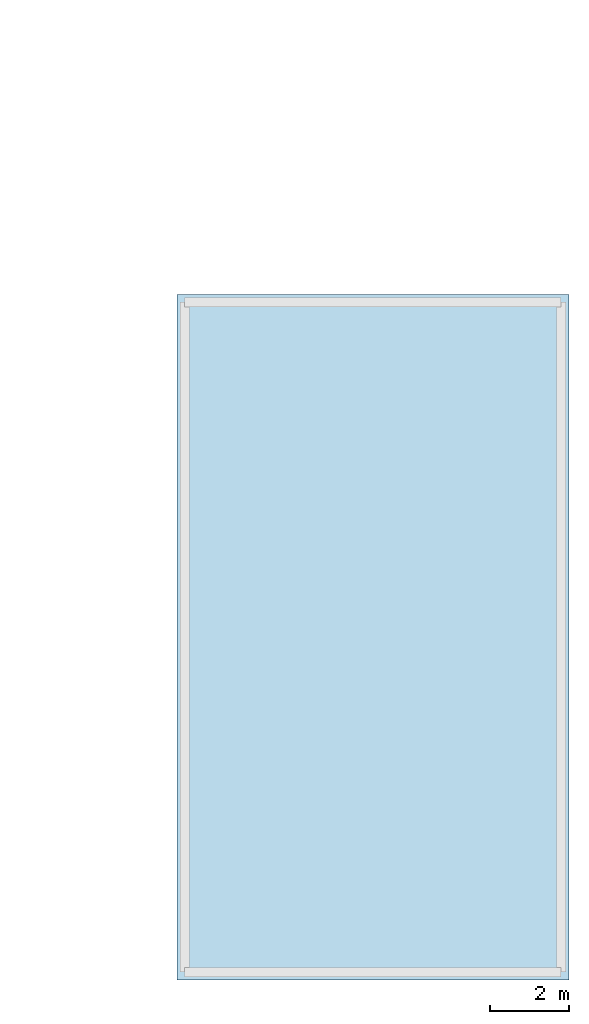
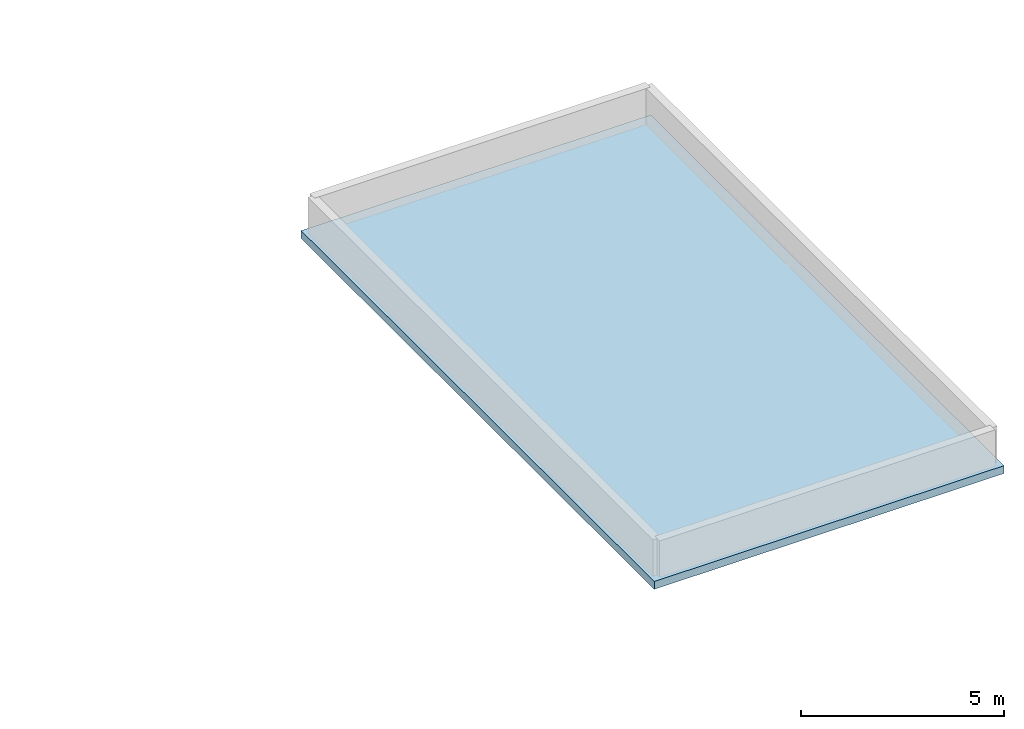
# One storey, part 51 of 64: 1 slab.
"""IFC4 building model written with IfcOpenShell, lengths in metres."""

from ifc_helpers import new_model, si_unit, direction, frame, origin, place, context, subcontext, project, spatial, polyline, outline, extrude, material, layer, layer_set, type_object, element, save


model = new_model("IFC4")

# Units and contexts
model_context = context("Model", 3, precision=1e-05, world=origin(), true_north=direction((0.0, 1.0)))
body_context = subcontext(model_context, "Body", "Model", "MODEL_VIEW")
ifc_project = project(units=[si_unit("LENGTHUNIT", "METRE"), si_unit("AREAUNIT", "SQUARE_METRE"), si_unit("VOLUMEUNIT", "CUBIC_METRE"), si_unit("PLANEANGLEUNIT", "RADIAN"), si_unit("MASSUNIT", "GRAM", prefix="KILO")], contexts=[model_context])

# Site, building, storey
site_placement = place(None, origin())
site = spatial("IfcSite", under=ifc_project, at=site_placement, CompositionType="ELEMENT")
building_placement = place(site_placement, origin())
building = spatial("IfcBuilding", under=site, at=building_placement, Name="Nordkorset Police Headquarters", CompositionType="ELEMENT")
storey_placement = place(building_placement, frame((0.0, 0.0, 17.85009765625)))
storey = spatial("IfcBuildingStorey", under=building, at=storey_placement, Name="L04", CompositionType="ELEMENT", Elevation=17.85009765625)

# Slab
ifc_material = material(Name="Concrete C35/45", Category="concrete")
ifc_layer = layer(ifc_material, 0.235107421875, Name="Concrete C35/45")
ifc_layer_set = layer_set([ifc_layer], Name="Concrete C35/45")
slab_type = type_object("IfcSlabType", Name="Slab_RoofFlat_235", PredefinedType="ROOF", material=ifc_layer_set)
slab_placement = place(storey_placement, frame((0.0, 0.0, -0.235107421875)))
element("IfcSlab", 1, at=slab_placement, inside=storey, type_object=slab_type, Name="Custody Dayroom Ceiling Deck V6", PredefinedType="ROOF", context=body_context, shape_type="SweptSolid", body=[
    extrude(outline(polyline([(126.39990234375, 0.0), (136.35009765625, 0.0), (136.35009765625, 17.39990234375), (126.39990234375, 17.39990234375), (126.39990234375, 0.0)])), origin(), (0.0, 0.0, 1.0), 0.235107421875),
])

save(model, "model.ifc")
